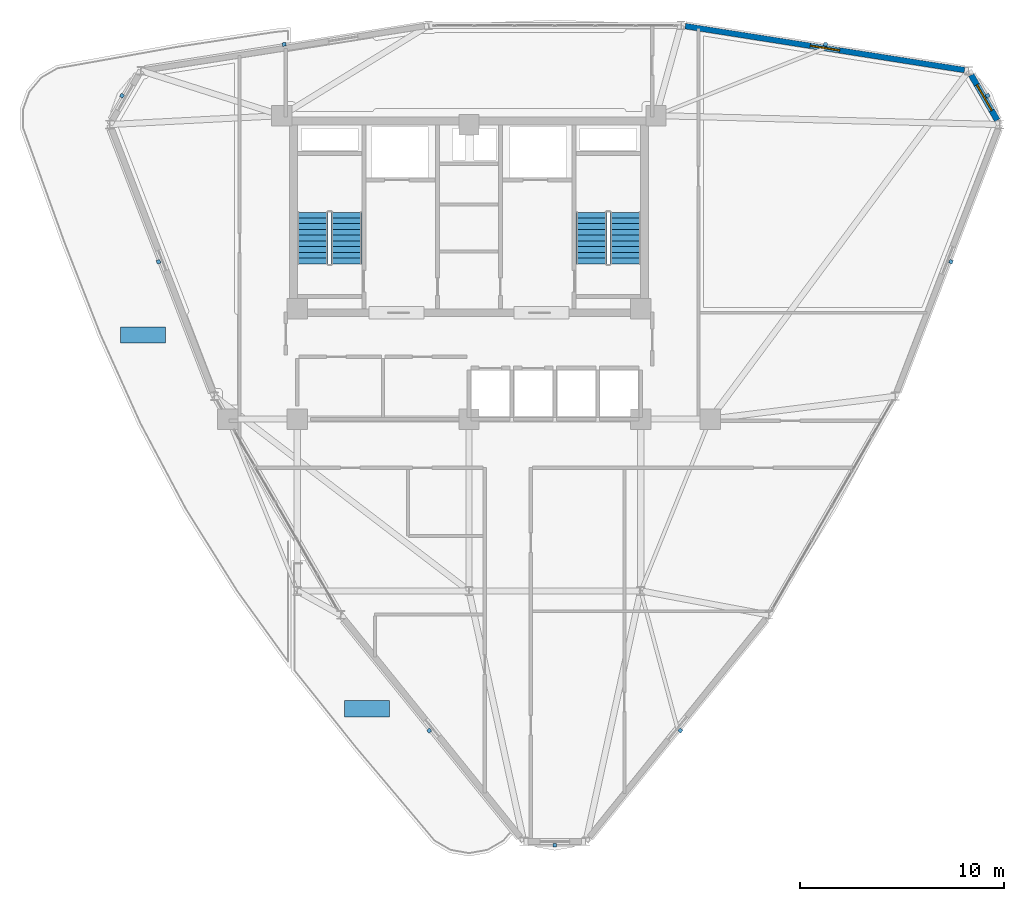
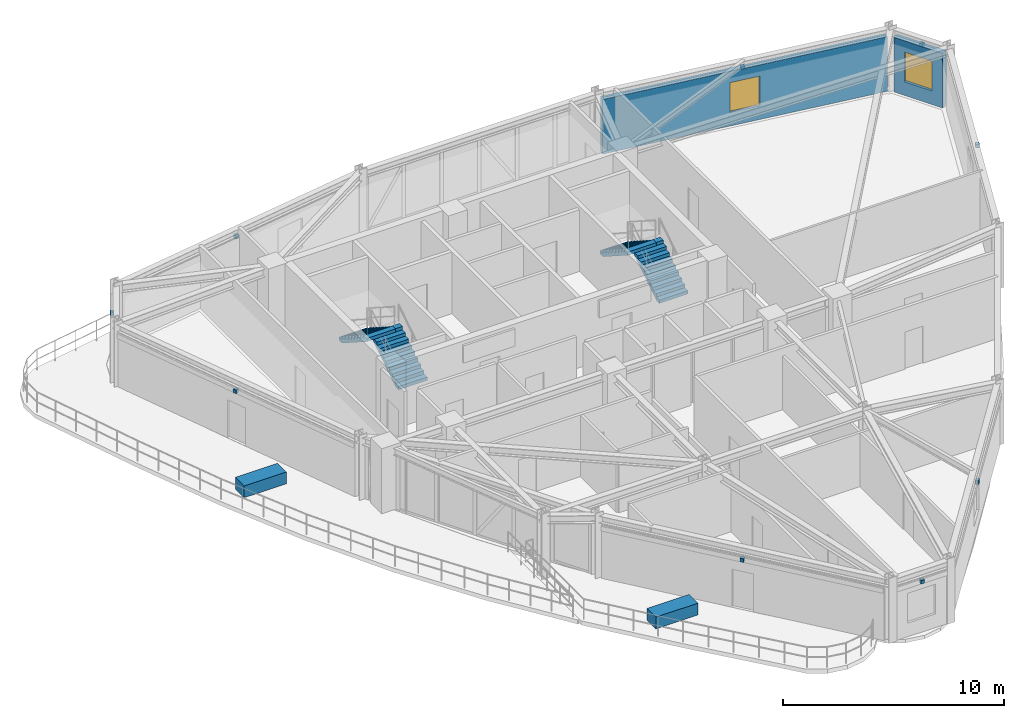
# One storey, part 16 of 19: 11 discrete accessories, 4 stair flights, 2 walls, 2 windows, 2 openings, 2 elements without a shape of their own.
"""IFC4 building model written with IfcOpenShell, lengths in metres."""

from ifc_helpers import new_model, si_unit, derived_unit, direction, frame, frame_2d, origin, origin_2d, place, context, subcontext, project, spatial, polyline, rectangle, outline, extrude, source, transform, mapped, material, layer, layer_set, type_object, element, fill, aggregate, save


model = new_model("IFC4")

# Units and contexts
model_context = context("Model", 3, precision=1e-05, world=origin(), true_north=direction((0.0, 1.0)))
body_context = subcontext(model_context, "Body", "Model", "MODEL_VIEW")
ifc_project = project(units=[si_unit("LENGTHUNIT", "METRE"), si_unit("AREAUNIT", "SQUARE_METRE"), si_unit("VOLUMEUNIT", "CUBIC_METRE"), si_unit("PLANEANGLEUNIT", "RADIAN"), si_unit("MASSUNIT", "GRAM", prefix="KILO"), derived_unit("THERMALTRANSMITTANCEUNIT", [(si_unit("POWERUNIT", "WATT"), 1), (si_unit("LENGTHUNIT", "METRE"), -2), (si_unit("THERMODYNAMICTEMPERATUREUNIT", "KELVIN"), -1)])], contexts=[model_context])

# Site, building, storey
site_placement = place(None, origin())
site = spatial("IfcSite", under=ifc_project, at=site_placement, CompositionType="ELEMENT")
building_placement = place(site_placement, origin())
building = spatial("IfcBuilding", under=site, at=building_placement, Name="Korsvarv Bourse and Concert Hall", CompositionType="ELEMENT")
storey_placement = place(building_placement, frame((0.0, 0.0, 205.800048828125)))
storey = spatial("IfcBuildingStorey", under=building, at=storey_placement, Name="L53", CompositionType="ELEMENT", Elevation=205.800048828125)

# Wall, opening, window
ifc_material_1 = material(Name="Precast concrete C45/55 with terracotta rainscreen", Category="concrete")
ifc_layer_1 = layer(ifc_material_1, 0.300048828125)
ifc_layer_set_1 = layer_set([ifc_layer_1], Name="Precast concrete C45/55 with terracotta rainscreen")
wall_type_1 = type_object("IfcWallType", Name="WL-EXT-TC1", PredefinedType="SOLIDWALL", material=ifc_layer_set_1)
wall_1_placement = place(storey_placement, frame((61.84716796875, 47.0244140625, 0.0), z_axis=(0.0, 0.0, 1.0), x_axis=(-0.49997637333, 0.866039044219, 0.0)))
wall_1 = element("IfcWall", 1, at=wall_1_placement, inside=storey, type_object=wall_type_1, Name="L53 terracotta exterior wall EW-L53-B01", PredefinedType="SOLIDWALL", context=body_context, shape_type="SweptSolid", body=[
    extrude(rectangle(XDim=2.55224609375, YDim=0.300048828125, at=frame_2d((1.276123046875, 0.0))), origin(), (0.0, 0.0, 1.0), 3.02001953125),
])
opening_1_placement = place(wall_1_placement, frame((0.551025390625, 0.0, 0.75)))
opening_1 = element("IfcOpeningElement", 2, at=opening_1_placement, cuts=wall_1, Name="Opening W-02", PredefinedType="OPENING", context=body_context, shape_type="SweptSolid", body=[
    extrude(rectangle(XDim=1.449951171875, YDim=1.64990234375, at=frame_2d((0.72509765625, 0.824951171875))), frame((0.0, 0.16015625, 0.0), z_axis=(0.0, -1.0, 0.0), x_axis=(1.0, 0.0, 0.0)), (0.0, 0.0, 1.0), 0.320068359375),
])
ifc_material_2 = material(Name="Thermally broken aluminium frame with triple low-E glass", Category="glass")
window_type = type_object("IfcWindowType", Name="WIN-TW2", PartitioningType="SINGLE_PANEL", PredefinedType="WINDOW", material=ifc_material_2)
window_1_placement = place(opening_1_placement, origin())
window_1 = element("IfcWindow", 3, at=window_1_placement, inside=storey, type_object=window_type, Name="L53 punched facade window W-02", OverallHeight=1.64990234375, OverallWidth=1.449951171875, PartitioningType="SINGLE_PANEL", PredefinedType="WINDOW", context=body_context, shape_type="SweptSolid", body=[
    extrude(rectangle(XDim=1.449951171875, YDim=1.64990234375, at=frame_2d((0.72509765625, 0.824951171875))), frame((0.0, 0.030029296875, 0.0), z_axis=(0.0, -1.0, 0.0), x_axis=(1.0, 0.0, 0.0)), (0.0, 0.0, 1.0), 0.06005859375),
])
fill(opening_1, window_1)

ifc_material_3 = material(Name="Precast concrete C45/55 with fluted terracotta pier", Category="concrete")
ifc_layer_2 = layer(ifc_material_3, 0.280029296875)
ifc_layer_set_2 = layer_set([ifc_layer_2], Name="Precast concrete C45/55 with fluted terracotta pier")
wall_type_2 = type_object("IfcWallType", Name="WL-EXT-TC2", PredefinedType="SOLIDWALL", material=ifc_layer_set_2)
wall_2_placement = place(storey_placement, frame((60.239990234375, 49.48046875, 0.0), z_axis=(0.0, 0.0, 1.0), x_axis=(-0.987848165878, 0.155422009936, 0.0)))
wall_2 = element("IfcWall", 4, at=wall_2_placement, inside=storey, type_object=wall_type_2, Name="L53 terracotta exterior wall EW-L53-B02", PredefinedType="SOLIDWALL", context=body_context, shape_type="SweptSolid", body=[
    extrude(rectangle(XDim=13.8232421875, YDim=0.280029296875, at=frame_2d((6.91162109375, 0.0))), origin(), (0.0, 0.0, 1.0), 3.02001953125),
])
opening_2_placement = place(wall_2_placement, frame((6.186767578125, 0.0, 0.75)))
opening_2 = element("IfcOpeningElement", 5, at=opening_2_placement, cuts=wall_2, Name="Opening W-02", PredefinedType="OPENING", context=body_context, shape_type="SweptSolid", body=[
    extrude(rectangle(XDim=1.449951171875, YDim=1.64990234375, at=frame_2d((0.72509765625, 0.824951171875))), frame((0.0, 0.14990234375, 0.0), z_axis=(0.0, -1.0, 0.0), x_axis=(1.0, 0.0, 0.0)), (0.0, 0.0, 1.0), 0.300048828125),
])
window_2_placement = place(opening_2_placement, origin())
window_2 = element("IfcWindow", 6, at=window_2_placement, inside=storey, type_object=window_type, Name="L53 punched facade window W-02", OverallHeight=1.64990234375, OverallWidth=1.449951171875, PartitioningType="SINGLE_PANEL", PredefinedType="WINDOW", context=body_context, shape_type="SweptSolid", body=[
    extrude(rectangle(XDim=1.449951171875, YDim=1.64990234375, at=frame_2d((0.72509765625, 0.824951171875))), frame((0.0, 0.030029296875, 0.0), z_axis=(0.0, -1.0, 0.0), x_axis=(1.0, 0.0, 0.0)), (0.0, 0.0, 1.0), 0.06005859375),
])
fill(opening_2, window_2)

# Stair, stair flights
ifc_material_4 = material(Name="Precast concrete C45/55", Category="concrete")
stair_type = type_object("IfcStairType", Name="STR-TYPE-04", PredefinedType="HALF_TURN_STAIR", material=ifc_material_4)
stair_1_placement = place(storey_placement, origin())
stair_1 = element("IfcStair", 7, at=stair_1_placement, inside=storey, type_object=stair_type, Name="L53 Tower West Exit Stair ST-T1", PredefinedType="HALF_TURN_STAIR")
stair_flight_type = type_object("IfcStairFlightType", Name="FLT-TYPE-04", PredefinedType="STRAIGHT", material=ifc_material_4)
stair_flight_1_placement = place(storey_placement, frame((30.010009765625, 40.0, 0.0), z_axis=(0.0, 0.0, 1.0), x_axis=(0.0, 1.0, 0.0)))
stair_flight_1 = element("IfcStairFlight", 8, at=stair_flight_1_placement, type_object=stair_flight_type, Name="ST-T1 flight 1", NumberOfRisers=10, NumberOfTreads=9, PredefinedType="STRAIGHT", RiserHeight=0.18, TreadLength=0.28, context=body_context, shape_type="SweptSolid", body=[
    extrude(outline(polyline([(0.0, 0.0), (0.0, 0.179931640625), (0.280029296875, 0.179931640625), (0.280029296875, 0.360107421875), (0.56005859375, 0.360107421875), (0.56005859375, 0.5400390625), (0.840087890625, 0.5400390625), (0.840087890625, 0.719970703125), (1.1201171875, 0.719970703125), (1.1201171875, 0.89990234375), (1.39990234375, 0.89990234375), (1.39990234375, 1.080078125), (1.679931640625, 1.080078125), (1.679931640625, 1.260009765625), (1.9599609375, 1.260009765625), (1.9599609375, 1.43994140625), (2.239990234375, 1.43994140625), (2.239990234375, 1.6201171875), (2.52001953125, 1.6201171875), (2.52001953125, 1.800048828125), (2.52001953125, 1.44189453125), (0.277099609375, 0.0), (0.0, 0.0)])), frame((0.0, 0.75, 0.0), z_axis=(0.0, -1.0, 0.0), x_axis=(1.0, 0.0, 0.0)), (0.0, 0.0, 1.0), 1.5),
])
stair_flight_2_placement = place(storey_placement, frame((28.35009765625, 42.52001953125, 1.800048828125), z_axis=(0.0, 0.0, 1.0), x_axis=(0.0, -1.0, 0.0)))
stair_flight_2 = element("IfcStairFlight", 9, at=stair_flight_2_placement, type_object=stair_flight_type, Name="ST-T1 flight 2", NumberOfRisers=10, NumberOfTreads=9, PredefinedType="STRAIGHT", RiserHeight=0.18, TreadLength=0.28, context=body_context, shape_type="SweptSolid", body=[
    extrude(outline(polyline([(0.0, 0.0), (0.0, 0.179931640625), (0.280029296875, 0.179931640625), (0.280029296875, 0.360107421875), (0.56005859375, 0.360107421875), (0.56005859375, 0.5400390625), (0.840087890625, 0.5400390625), (0.840087890625, 0.719970703125), (1.1201171875, 0.719970703125), (1.1201171875, 0.89990234375), (1.39990234375, 0.89990234375), (1.39990234375, 1.080078125), (1.679931640625, 1.080078125), (1.679931640625, 1.260009765625), (1.9599609375, 1.260009765625), (1.9599609375, 1.43994140625), (2.239990234375, 1.43994140625), (2.239990234375, 1.6201171875), (2.52001953125, 1.6201171875), (2.52001953125, 1.800048828125), (2.52001953125, 1.44189453125), (0.277099609375, 0.0), (0.0, 0.0)])), frame((0.0, 0.75, 0.0), z_axis=(0.0, -1.0, 0.0), x_axis=(1.0, 0.0, 0.0)), (0.0, 0.0, 1.0), 1.5),
])
aggregate(stair_1, [stair_flight_1, stair_flight_2])

stair_2_placement = place(storey_placement, origin())
stair_2 = element("IfcStair", 10, at=stair_2_placement, inside=storey, type_object=stair_type, Name="L53 Tower East Exit Stair ST-T2", PredefinedType="HALF_TURN_STAIR")
stair_flight_3_placement = place(storey_placement, frame((43.64990234375, 40.0, 0.0), z_axis=(0.0, 0.0, 1.0), x_axis=(0.0, 1.0, 0.0)))
stair_flight_3 = element("IfcStairFlight", 11, at=stair_flight_3_placement, type_object=stair_flight_type, Name="ST-T2 flight 1", NumberOfRisers=10, NumberOfTreads=9, PredefinedType="STRAIGHT", RiserHeight=0.18, TreadLength=0.28, context=body_context, shape_type="SweptSolid", body=[
    extrude(outline(polyline([(0.0, 0.0), (0.0, 0.179931640625), (0.280029296875, 0.179931640625), (0.280029296875, 0.360107421875), (0.56005859375, 0.360107421875), (0.56005859375, 0.5400390625), (0.840087890625, 0.5400390625), (0.840087890625, 0.719970703125), (1.1201171875, 0.719970703125), (1.1201171875, 0.89990234375), (1.39990234375, 0.89990234375), (1.39990234375, 1.080078125), (1.679931640625, 1.080078125), (1.679931640625, 1.260009765625), (1.9599609375, 1.260009765625), (1.9599609375, 1.43994140625), (2.239990234375, 1.43994140625), (2.239990234375, 1.6201171875), (2.52001953125, 1.6201171875), (2.52001953125, 1.800048828125), (2.52001953125, 1.44189453125), (0.277099609375, 0.0), (0.0, 0.0)])), frame((0.0, 0.75, 0.0), z_axis=(0.0, -1.0, 0.0), x_axis=(1.0, 0.0, 0.0)), (0.0, 0.0, 1.0), 1.5),
])
stair_flight_4_placement = place(storey_placement, frame((41.989990234375, 42.52001953125, 1.800048828125), z_axis=(0.0, 0.0, 1.0), x_axis=(0.0, -1.0, 0.0)))
stair_flight_4 = element("IfcStairFlight", 12, at=stair_flight_4_placement, type_object=stair_flight_type, Name="ST-T2 flight 2", NumberOfRisers=10, NumberOfTreads=9, PredefinedType="STRAIGHT", RiserHeight=0.18, TreadLength=0.28, context=body_context, shape_type="SweptSolid", body=[
    extrude(outline(polyline([(0.0, 0.0), (0.0, 0.179931640625), (0.280029296875, 0.179931640625), (0.280029296875, 0.360107421875), (0.56005859375, 0.360107421875), (0.56005859375, 0.5400390625), (0.840087890625, 0.5400390625), (0.840087890625, 0.719970703125), (1.1201171875, 0.719970703125), (1.1201171875, 0.89990234375), (1.39990234375, 0.89990234375), (1.39990234375, 1.080078125), (1.679931640625, 1.080078125), (1.679931640625, 1.260009765625), (1.9599609375, 1.260009765625), (1.9599609375, 1.43994140625), (2.239990234375, 1.43994140625), (2.239990234375, 1.6201171875), (2.52001953125, 1.6201171875), (2.52001953125, 1.800048828125), (2.52001953125, 1.44189453125), (0.277099609375, 0.0), (0.0, 0.0)])), frame((0.0, 0.75, 0.0), z_axis=(0.0, -1.0, 0.0), x_axis=(1.0, 0.0, 0.0)), (0.0, 0.0, 1.0), 1.5),
])
aggregate(stair_2, [stair_flight_3, stair_flight_4])

# Discrete accessories
ifc_material_5 = material(Name="Stainless Steel S355 facade outrigger bracket", Category="steel")
discrete_accessory_type_1 = type_object("IfcDiscreteAccessoryType", Name="ACC-BRK-1", PredefinedType="BRACKET", material=ifc_material_5)
shared_shape_1 = source(origin(), body_context, "Body", "SweptSolid", [
    extrude(rectangle(XDim=0.179931640625, YDim=0.179931640625, at=origin_2d()), origin(), (0.0, 0.0, 1.0), 0.199951171875),
])
for number, where, z_axis, x_axis, name in (
    (13, (61.373779296875, 48.224609375, 2.759765625), (0.0, 0.0, 1.0), (-0.5, 0.866025403784, 0.0), "L53 terracotta sunshade bracket EW-L53-B01"),
    (14, (53.4404296875, 50.732666015625, 2.759765625), (0.0, 0.0, 1.0), (-0.987851616793, 0.155400074643, 0.0), "L53 terracotta sunshade bracket EW-L53-B02"),
    (15, (26.959716796875, 50.732666015625, 2.7001953125), (0.0, 0.0, 1.0), (-0.987851616793, -0.155400074643, 0.0), "L53 terracotta sunshade bracket EW-L53-B04"),
    (16, (19.0263671875, 48.224609375, 2.759765625), (0.0, 0.0, 1.0), (-0.5, -0.866025403784, 0.0), "L53 terracotta sunshade bracket EW-L53-B05"),
    (17, (20.811767578125, 40.0966796875, 2.759765625), (0.0, 0.0, 1.0), (0.359345396006, -0.933204632634, 0.0), "L53 terracotta sunshade bracket EW-L53-B06"),
    (18, (34.0537109375, 17.160888671875, 2.7001953125), (0.0, 0.0, 1.0), (0.628506220787, -0.777804557991, 0.0), "L53 terracotta sunshade bracket EW-L53-B08"),
    (19, (40.199951171875, 11.55078125, 2.759765625), (0.0, 0.0, 1.0), (1.0, 0.0, 0.0), "L53 terracotta sunshade bracket EW-L53-B09"),
    (20, (46.338623046875, 17.167236328125, 2.7001953125), (0.0, 0.0, 1.0), (0.628506220787, 0.777804557991, 0.0), "L53 terracotta sunshade bracket EW-L53-B10"),
    (21, (59.578857421875, 40.10009765625, 2.759765625), (0.0, 0.0, 1.0), (0.359345396006, 0.933204632634, 0.0), "L53 terracotta sunshade bracket EW-L53-B12"),
):
    element("IfcDiscreteAccessory", number, at=place(storey_placement, frame(where, z_axis=z_axis, x_axis=x_axis)), inside=storey, type_object=discrete_accessory_type_1, Name=name, PredefinedType="BRACKET", context=body_context, shape_type="MappedRepresentation", body=[
        mapped(shared_shape_1, transform((0.0, 0.0, 0.0), scale=1.0)),
    ])
ifc_material_6 = material(Name="Architectural precast concrete C45/55 with terracotta facing", Category="concrete")
discrete_accessory_type_2 = type_object("IfcDiscreteAccessoryType", Name="ACC-PLN-1", PredefinedType="USERDEFINED", material=ifc_material_6)
shared_shape_2 = source(origin(), body_context, "Body", "SweptSolid", [
    extrude(rectangle(XDim=2.199951171875, YDim=0.800048828125, at=origin_2d()), origin(), (0.0, 0.0, 1.0), 0.64990234375),
])
for number, where, z_axis, x_axis, name in (
    (22, (20.048095703125, 36.51708984375, 0.0), (0.0, 0.0, 1.0), (1.0, 0.0, 0.0), "L53 landscaped terracotta planter 1"),
    (23, (31.006591796875, 18.228515625, 0.0), (0.0, 0.0, 1.0), (1.0, 0.0, 0.0), "L53 landscaped terracotta planter 1"),
):
    element("IfcDiscreteAccessory", number, at=place(storey_placement, frame(where, z_axis=z_axis, x_axis=x_axis)), inside=storey, type_object=discrete_accessory_type_2, Name=name, ObjectType="PLANTER", PredefinedType="USERDEFINED", context=body_context, shape_type="MappedRepresentation", body=[
        mapped(shared_shape_2, transform((0.0, 0.0, 0.0), scale=1.0)),
    ])

save(model, "model.ifc")
